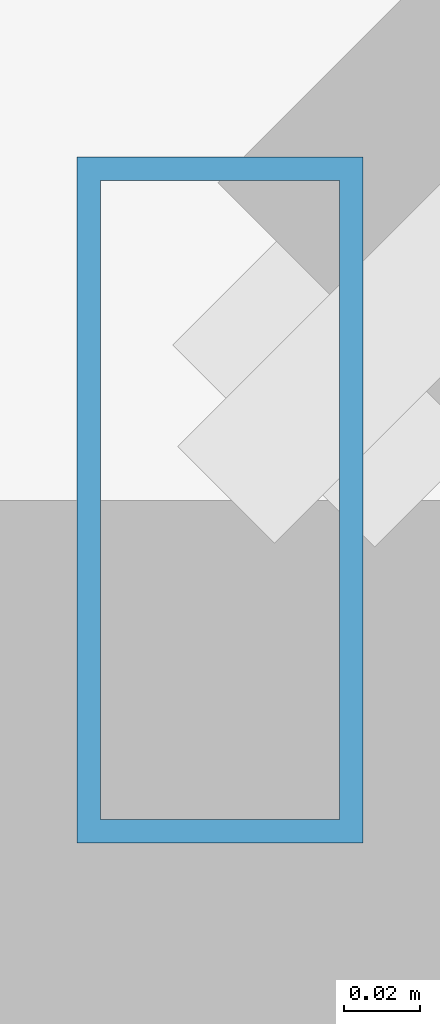
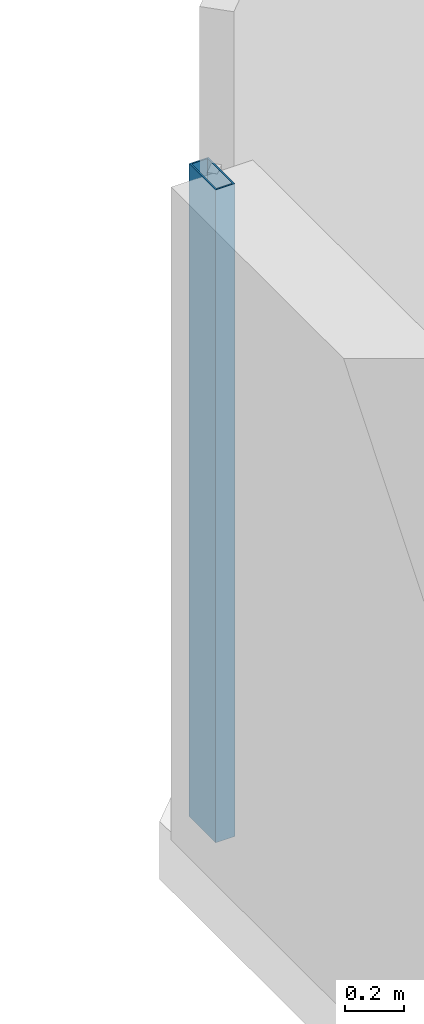
# One storey, part 13 of 35: 1 member, 1 element without a shape of its own.
"""IFC4 building model written with IfcOpenShell, lengths in metres."""

from ifc_helpers import new_model, si_unit, direction, frame, origin, origin_2d, place, context, subcontext, project, spatial, hollow_rectangle, extrude, material, material_profile, profile_set, type_object, element, aggregate, save


model = new_model("IFC4")

# Units and contexts
model_context = context("Model", 3, precision=1e-05, world=origin(), true_north=direction((0.0, 1.0)))
body_context = subcontext(model_context, "Body", "Model", "MODEL_VIEW")
ifc_project = project(units=[si_unit("LENGTHUNIT", "METRE"), si_unit("AREAUNIT", "SQUARE_METRE"), si_unit("VOLUMEUNIT", "CUBIC_METRE"), si_unit("PLANEANGLEUNIT", "RADIAN"), si_unit("MASSUNIT", "GRAM", prefix="KILO")], contexts=[model_context])

# Site, building, storey
site_placement = place(None, origin())
site = spatial("IfcSite", under=ifc_project, at=site_placement, CompositionType="ELEMENT")
building_placement = place(site_placement, origin())
building = spatial("IfcBuilding", under=site, at=building_placement, Name="Thornwick Lancets Civic Towers", CompositionType="ELEMENT")
storey_placement = place(building_placement, frame((0.0, 0.0, 265.5)))
storey = spatial("IfcBuildingStorey", under=building, at=storey_placement, Name="L71", CompositionType="ELEMENT", Elevation=265.5)

# Curtain wall, member
ifc_material_1 = material(Name="High-zone chamfered-corner unitised glass curtain wall", Category="glass")
curtain_wall_type = type_object("IfcCurtainWallType", Name="CW_SYS_05", PredefinedType="NOTDEFINED", material=ifc_material_1)
curtain_wall_placement = place(storey_placement, origin())
curtain_wall = element("IfcCurtainWall", 1, at=curtain_wall_placement, inside=storey, type_object=curtain_wall_type, Name="L71 Curtain Wall CW-L71-B-E5", PredefinedType="NOTDEFINED")
ifc_material_2 = material(Name="Thermally broken bronze aluminium S355", Category="steel")
ifc_material_profile = material_profile(ifc_material_2, hollow_rectangle(XDim=0.074951171875, YDim=0.179931640625, WallThickness=0.006103515625, at=origin_2d()), Name="RHS 180x75x6")
ifc_profile_set = profile_set([ifc_material_profile], Name="Thermally broken bronze aluminium S355")
member_type = type_object("IfcMemberType", Name="CW_MUL_180", PredefinedType="MULLION", material=ifc_profile_set)
member_placement = place(storey_placement, frame((70.738037109375, 47.353515625, 0.0), z_axis=(0.0, 0.0, 1.0), x_axis=(1.0, 0.0, 0.0)))
member = element("IfcMember", 2, at=member_placement, type_object=member_type, Name="CW-L71-B-E5 Mullion 1", PredefinedType="MULLION", context=body_context, shape_type="SweptSolid", body=[
    extrude(hollow_rectangle(XDim=0.074951171875, YDim=0.179931640625, WallThickness=0.006103515625, at=origin_2d()), origin(), (0.0, 0.0, 1.0), 2.699951171875),
])
aggregate(curtain_wall, [member])

save(model, "model.ifc")
